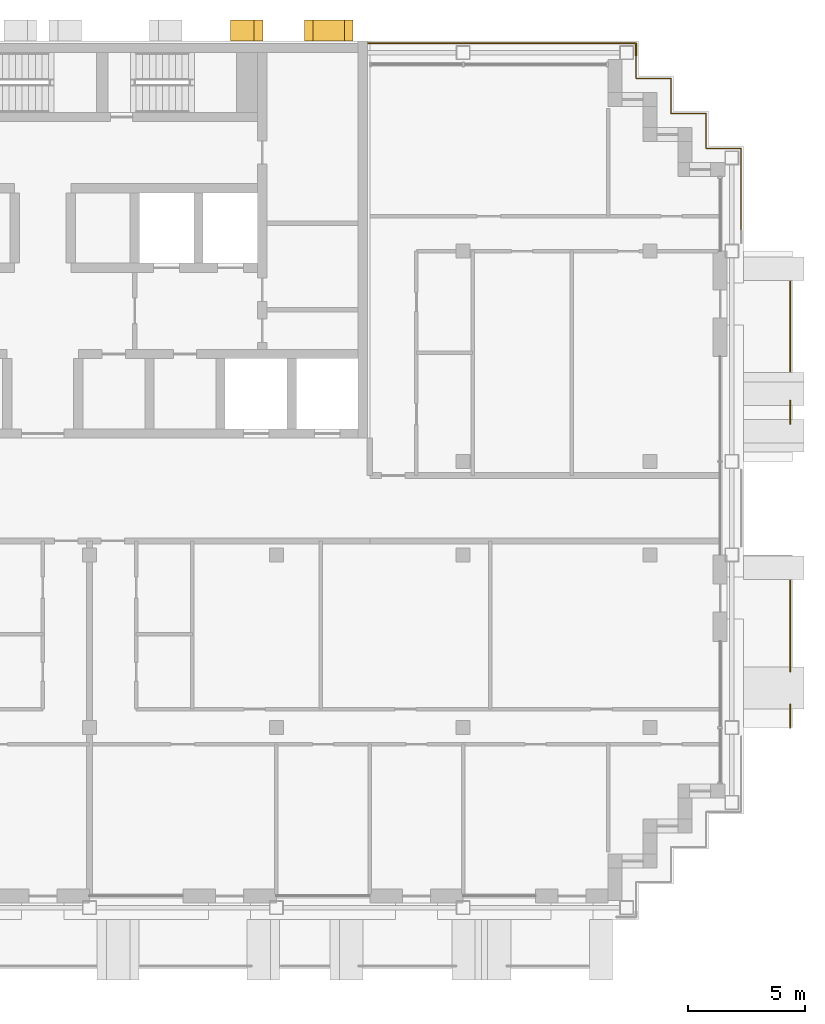
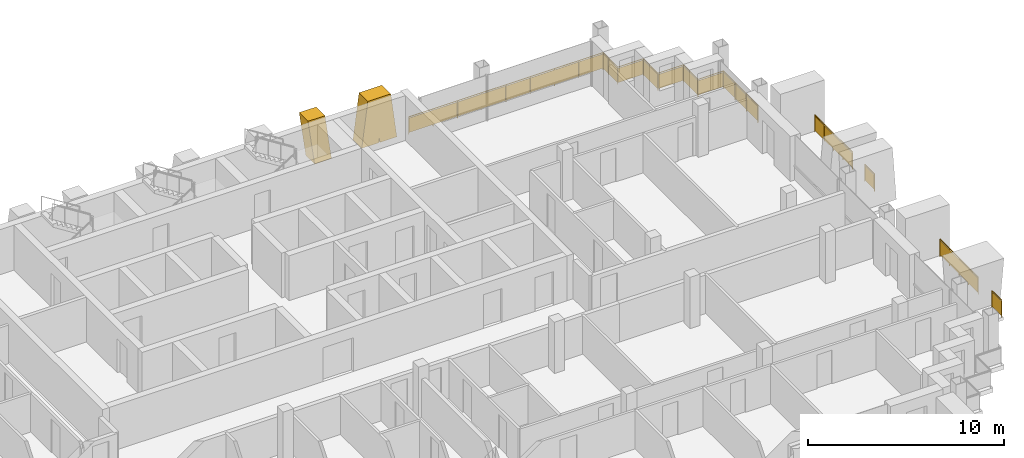
# One storey, part 15 of 15: 6 railings, 2 shading devices.
"""IFC4 building model written with IfcOpenShell, lengths in metres."""

from ifc_helpers import new_model, si_unit, direction, frame, origin, origin_2d, place, context, subcontext, project, spatial, polyline, rectangle, circle, outline, extrude, material, layer, layer_set, type_object, element, save


model = new_model("IFC4")

# Units and contexts
model_context = context("Model", 3, precision=1e-05, world=origin(), true_north=direction((0.0, 1.0)))
body_context = subcontext(model_context, "Body", "Model", "MODEL_VIEW")
ifc_project = project(units=[si_unit("LENGTHUNIT", "METRE"), si_unit("AREAUNIT", "SQUARE_METRE"), si_unit("VOLUMEUNIT", "CUBIC_METRE"), si_unit("PLANEANGLEUNIT", "RADIAN"), si_unit("MASSUNIT", "GRAM", prefix="KILO")], contexts=[model_context])

# Site, building, storey
site_placement = place(None, origin())
site = spatial("IfcSite", under=ifc_project, at=site_placement, CompositionType="ELEMENT")
building_placement = place(site_placement, origin())
building = spatial("IfcBuilding", under=site, at=building_placement, Name="Vidyagriha Tower", CompositionType="ELEMENT")
storey_placement = place(building_placement, frame((0.0, 0.0, 236.39990234375)))
storey = spatial("IfcBuildingStorey", under=building, at=storey_placement, Name="L62", CompositionType="ELEMENT", Elevation=236.39990234375)

# Railings
ifc_material_1 = material(Name="Steel ASTM A500 Grade C black painted", Category="steel")
railing_type_1 = type_object("IfcRailingType", Name="Balcony guard 1100", PredefinedType="BALUSTRADE", material=ifc_material_1)
railing_1_placement = place(storey_placement, frame((32.0, -9.39990234375, 0.0)))
element("IfcRailing", 1, at=railing_1_placement, inside=storey, type_object=railing_type_1, Name="Balcony guard L62 R30.1-1", PredefinedType="BALUSTRADE", context=body_context, shape_type="SweptSolid", body=[
    extrude(circle(Radius=0.02490234375, at=origin_2d()), frame((0.0, 0.0, 1.0751953125), z_axis=(0.0, 1.0, 0.0), x_axis=(-1.0, 0.0, 0.0)), (0.0, 0.0, 1.0), 0.99658203125),
    extrude(circle(Radius=0.02001953125, at=origin_2d()), origin(), (0.0, 0.0, 1.0), 1.050048828125),
    extrude(circle(Radius=0.02001953125, at=origin_2d()), frame((0.0, 0.99658203125, 0.0)), (0.0, 0.0, 1.0), 1.050048828125),
    extrude(rectangle(XDim=0.010009765625, YDim=0.900146484375, at=origin_2d()), frame((0.0, 0.0, 0.550048828125), z_axis=(0.0, 1.0, 0.0), x_axis=(-1.0, 0.0, 0.0)), (0.0, 0.0, 1.0), 0.99658203125),
])
railing_2_placement = place(storey_placement, frame((32.0, -6.99658203125, 0.0)))
element("IfcRailing", 2, at=railing_2_placement, inside=storey, type_object=railing_type_1, Name="Balcony guard L62 R30.1-2", PredefinedType="BALUSTRADE", context=body_context, shape_type="SweptSolid", body=[
    extrude(circle(Radius=0.02490234375, at=origin_2d()), frame((0.0, 0.0, 1.0751953125), z_axis=(0.0, 1.0, 0.0), x_axis=(-1.0, 0.0, 0.0)), (0.0, 0.0, 1.0), 3.896484375),
    extrude(circle(Radius=0.02001953125, at=origin_2d()), origin(), (0.0, 0.0, 1.0), 1.050048828125),
    extrude(circle(Radius=0.02001953125, at=origin_2d()), frame((0.0, 0.97412109375, 0.0)), (0.0, 0.0, 1.0), 1.050048828125),
    extrude(circle(Radius=0.02001953125, at=origin_2d()), frame((0.0, 1.9482421875, 0.0)), (0.0, 0.0, 1.0), 1.050048828125),
    extrude(circle(Radius=0.02001953125, at=origin_2d()), frame((0.0, 2.92236328125, 0.0)), (0.0, 0.0, 1.0), 1.050048828125),
    extrude(circle(Radius=0.02001953125, at=origin_2d()), frame((0.0, 3.896484375, 0.0)), (0.0, 0.0, 1.0), 1.050048828125),
    extrude(rectangle(XDim=0.010009765625, YDim=0.900146484375, at=origin_2d()), frame((0.0, 0.0, 0.550048828125), z_axis=(0.0, 1.0, 0.0), x_axis=(-1.0, 0.0, 0.0)), (0.0, 0.0, 1.0), 3.896484375),
])
railing_3_placement = place(storey_placement, frame((32.0, 3.603271484375, 0.0)))
element("IfcRailing", 3, at=railing_3_placement, inside=storey, type_object=railing_type_1, Name="Balcony guard L62 R30.2-1", PredefinedType="BALUSTRADE", context=body_context, shape_type="SweptSolid", body=[
    extrude(circle(Radius=0.02490234375, at=origin_2d()), frame((0.0, 0.0, 1.0751953125), z_axis=(0.0, 1.0, 0.0), x_axis=(-1.0, 0.0, 0.0)), (0.0, 0.0, 1.0), 0.993408203125),
    extrude(circle(Radius=0.02001953125, at=origin_2d()), origin(), (0.0, 0.0, 1.0), 1.050048828125),
    extrude(circle(Radius=0.02001953125, at=origin_2d()), frame((0.0, 0.993408203125, 0.0)), (0.0, 0.0, 1.0), 1.050048828125),
    extrude(rectangle(XDim=0.010009765625, YDim=0.900146484375, at=origin_2d()), frame((0.0, 0.0, 0.550048828125), z_axis=(0.0, 1.0, 0.0), x_axis=(-1.0, 0.0, 0.0)), (0.0, 0.0, 1.0), 0.993408203125),
])
railing_4_placement = place(storey_placement, frame((32.0, 5.85009765625, 0.0)))
element("IfcRailing", 4, at=railing_4_placement, inside=storey, type_object=railing_type_1, Name="Balcony guard L62 R30.2-2", PredefinedType="BALUSTRADE", context=body_context, shape_type="SweptSolid", body=[
    extrude(circle(Radius=0.02490234375, at=origin_2d()), frame((0.0, 0.0, 1.0751953125), z_axis=(0.0, 1.0, 0.0), x_axis=(-1.0, 0.0, 0.0)), (0.0, 0.0, 1.0), 3.849853515625),
    extrude(circle(Radius=0.02001953125, at=origin_2d()), origin(), (0.0, 0.0, 1.0), 1.050048828125),
    extrude(circle(Radius=0.02001953125, at=origin_2d()), frame((0.0, 0.96240234375, 0.0)), (0.0, 0.0, 1.0), 1.050048828125),
    extrude(circle(Radius=0.02001953125, at=origin_2d()), frame((0.0, 1.9248046875, 0.0)), (0.0, 0.0, 1.0), 1.050048828125),
    extrude(circle(Radius=0.02001953125, at=origin_2d()), frame((0.0, 2.887451171875, 0.0)), (0.0, 0.0, 1.0), 1.050048828125),
    extrude(circle(Radius=0.02001953125, at=origin_2d()), frame((0.0, 3.849853515625, 0.0)), (0.0, 0.0, 1.0), 1.050048828125),
    extrude(rectangle(XDim=0.010009765625, YDim=0.900146484375, at=origin_2d()), frame((0.0, 0.0, 0.550048828125), z_axis=(0.0, 1.0, 0.0), x_axis=(-1.0, 0.0, 0.0)), (0.0, 0.0, 1.0), 3.849853515625),
])

# Shading devices
ifc_material_2 = material(Name="Precast concrete C40/50 with brick facing", Category="concrete")
ifc_layer_1 = layer(ifc_material_2, 1.0)
ifc_layer_set_1 = layer_set([ifc_layer_1], Name="Precast concrete C40/50 with brick facing")
shading_device_type_1 = type_object("IfcShadingDeviceType", Name="Brick-faced rear rib arm leaning 8 degrees", PredefinedType="USERDEFINED", material=ifc_layer_set_1)
shading_device_1_placement = place(storey_placement, frame((9.4287109375, 20.449951171875, 0.0), z_axis=(0.0, 0.0, 1.0), x_axis=(-1.0, 0.0, 0.0)))
element("IfcShadingDevice", 5, at=shading_device_1_placement, inside=storey, type_object=shading_device_type_1, Name="Rear rib arm L62 R08.2b", ObjectType="BLADE FIN", PredefinedType="USERDEFINED", context=body_context, shape_type="SweptSolid", body=[
    extrude(outline(polyline([(0.0, 0.0), (1.0, 0.0), (1.3857421875, 2.800048828125), (0.3857421875, 2.800048828125), (0.0, 0.0)])), frame((0.0, 0.449951171875, 0.0), z_axis=(0.0, -1.0, 0.0), x_axis=(1.0, 0.0, 0.0)), (0.0, 0.0, 1.0), 0.89990234375),
])
ifc_material_3 = material(Name="Precast concrete C40/50 with brick facing", Category="concrete")
ifc_layer_2 = layer(ifc_material_3, 1.0)
ifc_layer_set_2 = layer_set([ifc_layer_2], Name="Precast concrete C40/50 with brick facing")
shading_device_type_2 = type_object("IfcShadingDeviceType", Name="Brick-faced rear rib forking 8 degrees", PredefinedType="USERDEFINED", material=ifc_layer_set_2)
shading_device_2_placement = place(storey_placement, frame((13.28564453125, 20.449951171875, 0.0), z_axis=(0.0, 0.0, 1.0), x_axis=(-1.0, 0.0, 0.0)))
element("IfcShadingDevice", 6, at=shading_device_2_placement, inside=storey, type_object=shading_device_type_2, Name="Rear rib fork L62 R08.1a", ObjectType="BLADE FIN", PredefinedType="USERDEFINED", context=body_context, shape_type="SweptSolid", body=[
    extrude(outline(polyline([(1.0, 0.0), (1.03564453125, 0.280029296875), (1.0712890625, 0.0), (2.0712890625, 0.0), (1.71435546875, 2.800048828125), (0.357177734375, 2.800048828125), (0.0, 0.0), (1.0, 0.0)])), frame((0.0, 0.449951171875, 0.0), z_axis=(0.0, -1.0, 0.0), x_axis=(1.0, 0.0, 0.0)), (0.0, 0.0, 1.0), 0.89990234375),
])

# Railings
ifc_material_4 = material(Name="Steel ASTM A500 Grade C black painted", Category="steel")
railing_type_2 = type_object("IfcRailingType", Name="Gallery guard 1100", PredefinedType="GUARDRAIL", material=ifc_material_4)
railing_5_placement = place(storey_placement, frame((13.929931640625, 19.89990234375, 0.0)))
element("IfcRailing", 7, at=railing_5_placement, inside=storey, type_object=railing_type_2, Name="Gallery guard L62 7", PredefinedType="GUARDRAIL", context=body_context, shape_type="SweptSolid", body=[
    extrude(circle(Radius=0.02490234375, at=origin_2d()), frame((0.0, 0.0, 1.0751953125), z_axis=(1.0, 0.0, 0.0), x_axis=(0.0, 1.0, 0.0)), (0.0, 0.0, 1.0), 11.469970703125),
    extrude(circle(Radius=0.02490234375, at=origin_2d()), frame((11.469970703125, 0.0, 1.0751953125), z_axis=(0.0, -1.0, 0.0), x_axis=(1.0, 0.0, 0.0)), (0.0, 0.0, 1.0), 0.52978515625),
    extrude(circle(Radius=0.02001953125, at=origin_2d()), origin(), (0.0, 0.0, 1.0), 1.050048828125),
    extrude(circle(Radius=0.02001953125, at=origin_2d()), frame((1.433837890625, 0.0, 0.0)), (0.0, 0.0, 1.0), 1.050048828125),
    extrude(circle(Radius=0.02001953125, at=origin_2d()), frame((2.867431640625, 0.0, 0.0)), (0.0, 0.0, 1.0), 1.050048828125),
    extrude(circle(Radius=0.02001953125, at=origin_2d()), frame((4.30126953125, 0.0, 0.0)), (0.0, 0.0, 1.0), 1.050048828125),
    extrude(circle(Radius=0.02001953125, at=origin_2d()), frame((5.73486328125, 0.0, 0.0)), (0.0, 0.0, 1.0), 1.050048828125),
    extrude(circle(Radius=0.02001953125, at=origin_2d()), frame((7.168701171875, 0.0, 0.0)), (0.0, 0.0, 1.0), 1.050048828125),
    extrude(circle(Radius=0.02001953125, at=origin_2d()), frame((8.6025390625, 0.0, 0.0)), (0.0, 0.0, 1.0), 1.050048828125),
    extrude(circle(Radius=0.02001953125, at=origin_2d()), frame((10.0361328125, 0.0, 0.0)), (0.0, 0.0, 1.0), 1.050048828125),
    extrude(circle(Radius=0.02001953125, at=origin_2d()), frame((11.469970703125, 0.0, 0.0)), (0.0, 0.0, 1.0), 1.050048828125),
    extrude(circle(Radius=0.02001953125, at=origin_2d()), frame((11.469970703125, -0.52978515625, 0.0)), (0.0, 0.0, 1.0), 1.050048828125),
    extrude(rectangle(XDim=0.010009765625, YDim=0.900146484375, at=origin_2d()), frame((0.0, 0.0, 0.550048828125), z_axis=(1.0, 0.0, 0.0), x_axis=(0.0, 1.0, 0.0)), (0.0, 0.0, 1.0), 11.469970703125),
    extrude(rectangle(XDim=0.010009765625, YDim=0.900146484375, at=origin_2d()), frame((11.469970703125, 0.0, 0.550048828125), z_axis=(0.0, -1.0, 0.0), x_axis=(1.0, 0.0, 0.0)), (0.0, 0.0, 1.0), 0.52978515625),
])
railing_6_placement = place(storey_placement, frame((25.39990234375, 19.3701171875, 0.0)))
element("IfcRailing", 8, at=railing_6_placement, inside=storey, type_object=railing_type_2, Name="Gallery guard L62 8", PredefinedType="GUARDRAIL", context=body_context, shape_type="SweptSolid", body=[
    extrude(circle(Radius=0.02490234375, at=origin_2d()), frame((0.0, 0.0, 1.0751953125), z_axis=(0.0, -1.0, 0.0), x_axis=(1.0, 0.0, 0.0)), (0.0, 0.0, 1.0), 0.97021484375),
    extrude(circle(Radius=0.02490234375, at=origin_2d()), frame((0.0, -0.97021484375, 1.0751953125), z_axis=(1.0, 0.0, 0.0), x_axis=(0.0, 1.0, 0.0)), (0.0, 0.0, 1.0), 1.5),
    extrude(circle(Radius=0.02490234375, at=origin_2d()), frame((1.5, -0.97021484375, 1.0751953125), z_axis=(0.0, -1.0, 0.0), x_axis=(1.0, 0.0, 0.0)), (0.0, 0.0, 1.0), 1.5),
    extrude(circle(Radius=0.02490234375, at=origin_2d()), frame((1.5, -2.47021484375, 1.0751953125), z_axis=(1.0, 0.0, 0.0), x_axis=(0.0, 1.0, 0.0)), (0.0, 0.0, 1.0), 1.5),
    extrude(circle(Radius=0.02490234375, at=origin_2d()), frame((3.0, -2.47021484375, 1.0751953125), z_axis=(0.0, -1.0, 0.0), x_axis=(1.0, 0.0, 0.0)), (0.0, 0.0, 1.0), 1.5),
    extrude(circle(Radius=0.02490234375, at=origin_2d()), frame((3.0, -3.97021484375, 1.0751953125), z_axis=(1.0, 0.0, 0.0), x_axis=(0.0, 1.0, 0.0)), (0.0, 0.0, 1.0), 1.5),
    extrude(circle(Radius=0.02490234375, at=origin_2d()), frame((4.5, -3.97021484375, 1.0751953125), z_axis=(0.0, -1.0, 0.0), x_axis=(1.0, 0.0, 0.0)), (0.0, 0.0, 1.0), 3.52978515625),
    extrude(circle(Radius=0.02001953125, at=origin_2d()), origin(), (0.0, 0.0, 1.0), 1.050048828125),
    extrude(circle(Radius=0.02001953125, at=origin_2d()), frame((0.0, -0.97021484375, 0.0)), (0.0, 0.0, 1.0), 1.050048828125),
    extrude(circle(Radius=0.02001953125, at=origin_2d()), frame((1.5, -0.97021484375, 0.0)), (0.0, 0.0, 1.0), 1.050048828125),
    extrude(circle(Radius=0.02001953125, at=origin_2d()), frame((1.5, -2.47021484375, 0.0)), (0.0, 0.0, 1.0), 1.050048828125),
    extrude(circle(Radius=0.02001953125, at=origin_2d()), frame((3.0, -2.47021484375, 0.0)), (0.0, 0.0, 1.0), 1.050048828125),
    extrude(circle(Radius=0.02001953125, at=origin_2d()), frame((3.0, -3.97021484375, 0.0)), (0.0, 0.0, 1.0), 1.050048828125),
    extrude(circle(Radius=0.02001953125, at=origin_2d()), frame((4.5, -3.97021484375, 0.0)), (0.0, 0.0, 1.0), 1.050048828125),
    extrude(circle(Radius=0.02001953125, at=origin_2d()), frame((4.5, -5.146728515625, 0.0)), (0.0, 0.0, 1.0), 1.050048828125),
    extrude(circle(Radius=0.02001953125, at=origin_2d()), frame((4.5, -6.323486328125, 0.0)), (0.0, 0.0, 1.0), 1.050048828125),
    extrude(circle(Radius=0.02001953125, at=origin_2d()), frame((4.5, -7.5, 0.0)), (0.0, 0.0, 1.0), 1.050048828125),
    extrude(rectangle(XDim=0.010009765625, YDim=0.900146484375, at=origin_2d()), frame((0.0, 0.0, 0.550048828125), z_axis=(0.0, -1.0, 0.0), x_axis=(1.0, 0.0, 0.0)), (0.0, 0.0, 1.0), 0.97021484375),
    extrude(rectangle(XDim=0.010009765625, YDim=0.900146484375, at=origin_2d()), frame((0.0, -0.97021484375, 0.550048828125), z_axis=(1.0, 0.0, 0.0), x_axis=(0.0, 1.0, 0.0)), (0.0, 0.0, 1.0), 1.5),
    extrude(rectangle(XDim=0.010009765625, YDim=0.900146484375, at=origin_2d()), frame((1.5, -0.97021484375, 0.550048828125), z_axis=(0.0, -1.0, 0.0), x_axis=(1.0, 0.0, 0.0)), (0.0, 0.0, 1.0), 1.5),
    extrude(rectangle(XDim=0.010009765625, YDim=0.900146484375, at=origin_2d()), frame((1.5, -2.47021484375, 0.550048828125), z_axis=(1.0, 0.0, 0.0), x_axis=(0.0, 1.0, 0.0)), (0.0, 0.0, 1.0), 1.5),
    extrude(rectangle(XDim=0.010009765625, YDim=0.900146484375, at=origin_2d()), frame((3.0, -2.47021484375, 0.550048828125), z_axis=(0.0, -1.0, 0.0), x_axis=(1.0, 0.0, 0.0)), (0.0, 0.0, 1.0), 1.5),
    extrude(rectangle(XDim=0.010009765625, YDim=0.900146484375, at=origin_2d()), frame((3.0, -3.97021484375, 0.550048828125), z_axis=(1.0, 0.0, 0.0), x_axis=(0.0, 1.0, 0.0)), (0.0, 0.0, 1.0), 1.5),
    extrude(rectangle(XDim=0.010009765625, YDim=0.900146484375, at=origin_2d()), frame((4.5, -3.97021484375, 0.550048828125), z_axis=(0.0, -1.0, 0.0), x_axis=(1.0, 0.0, 0.0)), (0.0, 0.0, 1.0), 3.52978515625),
])

save(model, "model.ifc")
